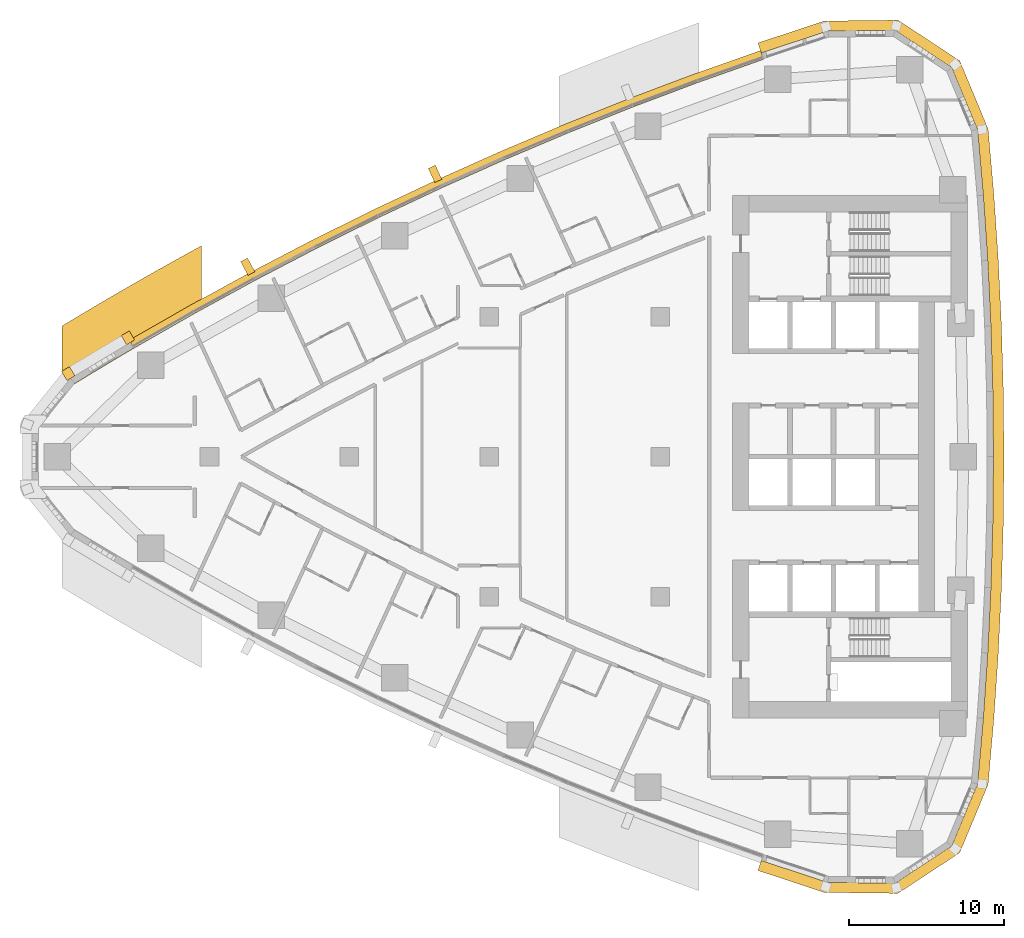
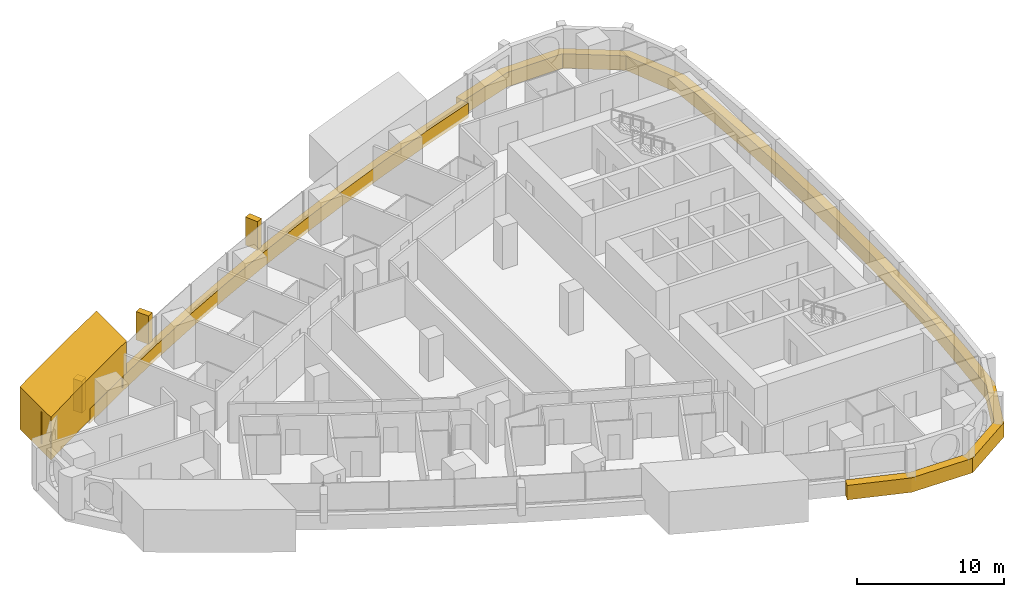
# One storey, part 16 of 17: 7 coverings.
"""IFC4 building model written with IfcOpenShell, lengths in metres."""

from ifc_helpers import new_model, si_unit, direction, frame, frame_2d, origin, place, context, subcontext, project, spatial, polyline, rectangle, outline, extrude, material, layer, layer_set, type_object, element, save


model = new_model("IFC4")

# Units and contexts
model_context = context("Model", 3, precision=1e-05, world=origin(), true_north=direction((0.0, 1.0)))
body_context = subcontext(model_context, "Body", "Model", "MODEL_VIEW")
ifc_project = project(units=[si_unit("LENGTHUNIT", "METRE"), si_unit("AREAUNIT", "SQUARE_METRE"), si_unit("VOLUMEUNIT", "CUBIC_METRE"), si_unit("PLANEANGLEUNIT", "RADIAN"), si_unit("MASSUNIT", "GRAM", prefix="KILO")], contexts=[model_context])

# Site, building, storey
site_placement = place(None, origin())
site = spatial("IfcSite", under=ifc_project, at=site_placement, CompositionType="ELEMENT")
building_placement = place(site_placement, origin())
building = spatial("IfcBuilding", under=site, at=building_placement, Name="Ostrand Prow Hotel Tower", CompositionType="ELEMENT")
storey_placement = place(building_placement, frame((0.0, 0.0, 102.64990234375)))
storey = spatial("IfcBuildingStorey", under=building, at=storey_placement, Name="L24", CompositionType="ELEMENT", Elevation=102.64990234375)

# Coverings
ifc_material_1 = material(Name="Bronze anodised aluminium cladding", Category="aluminium")
ifc_layer_1 = layer(ifc_material_1, 0.60009765625)
ifc_layer_set_1 = layer_set([ifc_layer_1], Name="Bronze anodised aluminium cladding")
covering_type_1 = type_object("IfcCoveringType", Name="Bronze spandrel band 1200x600", PredefinedType="CLADDING", material=ifc_layer_set_1)
covering_1_placement = place(storey_placement, frame((0.0, 0.0, -0.2998046875)))
element("IfcCovering", 1, at=covering_1_placement, inside=storey, type_object=covering_type_1, Name="Spandrel band N1", PredefinedType="CLADDING", context=body_context, shape_type="SweptSolid", body=[
    extrude(outline(polyline([(51.4501953125, 26.1328125), (47.231201171875, 24.64013671875), (43.042724609375, 23.0634765625), (38.88671875, 21.4033203125), (34.764892578125, 19.659912109375), (30.6787109375, 17.834716796875), (26.6298828125, 15.927734375), (22.620361328125, 13.940185546875), (18.651123046875, 11.872802734375), (14.72412109375, 9.726318359375), (10.841064453125, 7.50146484375), (11.144287109375, 6.98388671875), (15.01708984375, 9.20263671875), (18.93359375, 11.343505859375), (22.89208984375, 13.4052734375), (26.89111328125, 15.3876953125), (30.928955078125, 17.289306640625), (35.004150390625, 19.10986328125), (39.114990234375, 20.848388671875), (43.259765625, 22.504150390625), (47.43701171875, 24.076416015625), (51.644775390625, 25.56494140625), (51.4501953125, 26.1328125)])), origin(), (0.0, 0.0, 1.0), 1.199951171875),
])
covering_2_placement = place(storey_placement, frame((0.0, 0.0, -0.2998046875)))
element("IfcCovering", 2, at=covering_2_placement, inside=storey, type_object=covering_type_1, Name="Spandrel band back 1", PredefinedType="CLADDING", context=body_context, shape_type="SweptSolid", body=[
    extrude(outline(polyline([(51.28369140625, -26.619384765625), (55.54150390625, -28.0302734375), (60.2958984375, -28.09033203125), (64.267578125, -25.476806640625), (66.09326171875, -21.086669921875), (66.460693359375, -16.87890625), (66.74658203125, -12.664794921875), (66.950927734375, -8.44580078125), (67.073486328125, -4.2236328125), (67.114501953125, 0.0), (67.073486328125, 4.2236328125), (66.950927734375, 8.44580078125), (66.74658203125, 12.664794921875), (66.460693359375, 16.87890625), (66.09326171875, 21.086669921875), (64.267578125, 25.476806640625), (60.2958984375, 28.09033203125), (55.54150390625, 28.0302734375), (51.28369140625, 26.619384765625), (51.50390625, 25.97607421875), (55.7490234375, 27.3828125), (60.104736328125, 27.437744140625), (63.74365234375, 25.043212890625), (65.41650390625, 21.02099609375), (65.78271484375, 16.826416015625), (66.067626953125, 12.625244140625), (66.271484375, 8.41943359375), (66.393798828125, 4.21044921875), (66.434326171875, 0.0), (66.393798828125, -4.21044921875), (66.271484375, -8.41943359375), (66.067626953125, -12.625244140625), (65.78271484375, -16.826416015625), (65.41650390625, -21.02099609375), (63.74365234375, -25.043212890625), (60.104736328125, -27.437744140625), (55.7490234375, -27.3828125), (51.50390625, -25.97607421875), (51.28369140625, -26.619384765625)])), origin(), (0.0, 0.0, 1.0), 1.199951171875),
])
ifc_material_2 = material(Name="Limestone cladding", Category="masonry")
ifc_layer_2 = layer(ifc_material_2, 5.0)
ifc_layer_set_2 = layer_set([ifc_layer_2], Name="Limestone cladding")
covering_type_2 = type_object("IfcCoveringType", Name="Portal jamb pilaster limestone", PredefinedType="CLADDING", material=ifc_layer_set_2)
covering_3_placement = place(storey_placement, origin())
element("IfcCovering", 3, at=covering_3_placement, inside=storey, type_object=covering_type_2, Name="Portal jamb NA L24", PredefinedType="CLADDING", context=body_context, shape_type="SweptSolid", body=[
    extrude(outline(polyline([(6.5, 4.184326171875), (7.5, 4.80029296875), (8.5, 5.40869140625), (9.5, 6.01025390625), (10.5, 6.6044921875), (11.5, 7.19189453125), (12.5, 7.772216796875), (13.5, 8.345703125), (14.5, 8.912353515625), (15.5, 9.47216796875), (15.5, 13.581787109375), (14.5, 13.03369140625), (13.5, 12.478759765625), (12.5, 11.91748046875), (11.5, 11.349365234375), (10.5, 10.7744140625), (9.5, 10.19287109375), (8.5, 9.604248046875), (7.5, 9.0087890625), (6.5, 8.40625), (6.5, 4.184326171875)])), origin(), (0.0, 0.0, 1.0), 3.550048828125),
])
ifc_material_3 = material(Name="Limestone cladding", Category="masonry")
ifc_layer_3 = layer(ifc_material_3, 0.5)
ifc_layer_set_3 = layer_set([ifc_layer_3], Name="Limestone cladding")
covering_type_3 = type_object("IfcCoveringType", Name="Precast stone fin 500x900", PredefinedType="CLADDING", material=ifc_layer_set_3)
for number, where, z_axis, x_axis, name in (
    (4, (30.720458984375, 17.74365234375, 0.900146484375), (0.0, 0.0, 1.0), (-0.416982531796, 0.908914499927, 0.0), "Stone fin N 6"),
    (5, (18.6982421875, 11.78466796875, 0.900146484375), (0.0, 0.0, 1.0), (-0.470981038243, 0.882143333941, 0.0), "Stone fin N 9"),
):
    element("IfcCovering", number, at=place(storey_placement, frame(where, z_axis=z_axis, x_axis=x_axis)), inside=storey, type_object=covering_type_3, Name=name, PredefinedType="CLADDING", context=body_context, shape_type="SweptSolid", body=[
        extrude(rectangle(XDim=1.0, YDim=0.5, at=frame_2d((0.5, 0.0))), origin(), (0.0, 0.0, 1.0), 2.349853515625),
    ])
ifc_material_4 = material(Name="Limestone cladding", Category="masonry")
ifc_layer_4 = layer(ifc_material_4, 0.60009765625)
ifc_layer_set_4 = layer_set([ifc_layer_4], Name="Limestone cladding")
covering_type_4 = type_object("IfcCoveringType", Name="Precast stone prow rib 600x600", PredefinedType="CLADDING", material=ifc_layer_set_4)
covering_4_placement = place(storey_placement, frame((10.9248046875, 7.358642578125, 0.60009765625), z_axis=(0.0, 0.0, 1.0), x_axis=(-0.505811626043, 0.862643958397, 0.0)))
element("IfcCovering", 6, at=covering_4_placement, inside=storey, type_object=covering_type_4, Name="Stone prow rib 1", PredefinedType="CLADDING", context=body_context, shape_type="SweptSolid", body=[
    extrude(rectangle(XDim=0.68017578125, YDim=0.60009765625, at=frame_2d((0.340087890625, 0.0))), origin(), (0.0, 0.0, 1.0), 2.64990234375),
])
covering_5_placement = place(storey_placement, frame((7.089599609375, 5.058349609375, 0.60009765625), z_axis=(0.0, 0.0, 1.0), x_axis=(-0.522814637618, 0.852446394029, 0.0)))
element("IfcCovering", 7, at=covering_5_placement, inside=storey, type_object=covering_type_4, Name="Stone prow rib 2", PredefinedType="CLADDING", context=body_context, shape_type="SweptSolid", body=[
    extrude(rectangle(XDim=0.679931640625, YDim=0.60009765625, at=frame_2d((0.33984375, 0.0))), origin(), (0.0, 0.0, 1.0), 2.64990234375),
])

save(model, "model.ifc")
